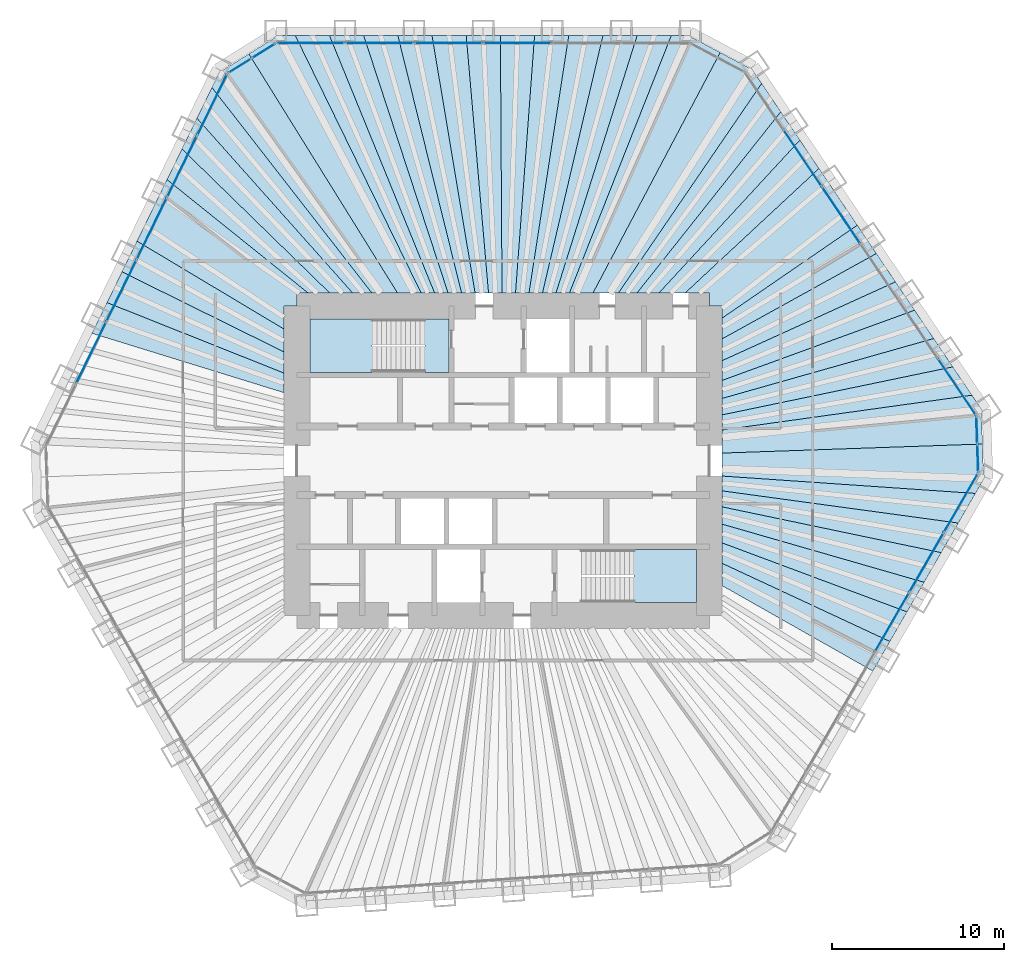
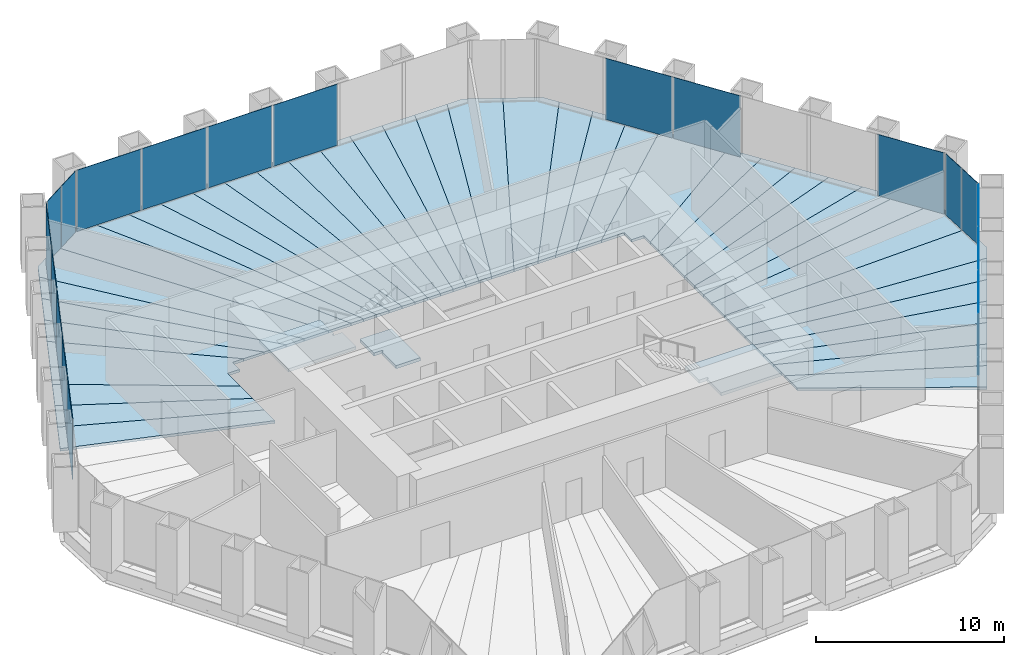
# One storey, part 9 of 13: 43 slabs, 19 plates, 8 elements without a shape of their own.
"""IFC4 building model written with IfcOpenShell, lengths in metres."""

from ifc_helpers import new_model, si_unit, direction, frame, origin, origin_2d, place, context, subcontext, project, spatial, polyline, rectangle, outline, extrude, material, layer, layer_set, type_object, element, aggregate, save


model = new_model("IFC4")

# Units and contexts
model_context = context("Model", 3, precision=1e-05, world=origin(), true_north=direction((0.0, 1.0)))
body_context = subcontext(model_context, "Body", "Model", "MODEL_VIEW")
ifc_project = project(units=[si_unit("LENGTHUNIT", "METRE"), si_unit("AREAUNIT", "SQUARE_METRE"), si_unit("VOLUMEUNIT", "CUBIC_METRE"), si_unit("PLANEANGLEUNIT", "RADIAN"), si_unit("MASSUNIT", "GRAM", prefix="KILO")], contexts=[model_context])

# Site, building, storey
site_placement = place(None, origin())
site = spatial("IfcSite", under=ifc_project, at=site_placement, CompositionType="ELEMENT")
building_placement = place(site_placement, origin())
building = spatial("IfcBuilding", under=site, at=building_placement, Name="Qingtian Harvest Tower", CompositionType="ELEMENT")
storey_placement = place(building_placement, frame((0.0, 0.0, 115.60009765625)))
storey = spatial("IfcBuildingStorey", under=building, at=storey_placement, Name="L23", CompositionType="ELEMENT", Elevation=115.60009765625)

# Slabs
ifc_material_1 = material(Name="Concrete fc' 35 MPa", Category="concrete")
ifc_layer_1 = layer(ifc_material_1, 0.169921875)
ifc_layer_set_1 = layer_set([ifc_layer_1], Name="Composite floor slab FS17 170")
slab_type_1 = type_object("IfcSlabType", Name="Composite floor slab FS17 170", PredefinedType="FLOOR", material=ifc_layer_set_1)
slab_1_placement = place(storey_placement, frame((0.0, 0.0, -0.170166015625)))
element("IfcSlab", 1, at=slab_1_placement, inside=storey, type_object=slab_type_1, Name="Floor slab L23 panel D33", PredefinedType="FLOOR", context=body_context, shape_type="SweptSolid", body=[
    extrude(outline(polyline([(12.75, -5.97021484375), (22.51220703125, -10.517578125), (21.517333984375, -12.24072265625), (12.75, -7.268798828125), (12.75, -5.97021484375)])), origin(), (0.0, 0.0, 1.0), 0.170166015625),
])
slab_2_placement = place(storey_placement, frame((0.0, 0.0, -0.170166015625)))
element("IfcSlab", 2, at=slab_2_placement, inside=storey, type_object=slab_type_1, Name="Floor slab L23 panel D34", PredefinedType="FLOOR", context=body_context, shape_type="SweptSolid", body=[
    extrude(outline(polyline([(12.75, -4.78173828125), (23.50732421875, -8.794189453125), (22.51220703125, -10.517578125), (12.75, -5.97021484375), (12.75, -4.78173828125)])), origin(), (0.0, 0.0, 1.0), 0.170166015625),
])
slab_3_placement = place(storey_placement, frame((0.0, 0.0, -0.170166015625)))
element("IfcSlab", 3, at=slab_3_placement, inside=storey, type_object=slab_type_1, Name="Floor slab L23 panel D35", PredefinedType="FLOOR", context=body_context, shape_type="SweptSolid", body=[
    extrude(outline(polyline([(12.75, -3.68994140625), (24.502197265625, -7.071044921875), (23.50732421875, -8.794189453125), (12.75, -4.78173828125), (12.75, -3.68994140625)])), origin(), (0.0, 0.0, 1.0), 0.170166015625),
])
slab_4_placement = place(storey_placement, frame((0.0, 0.0, -0.170166015625)))
element("IfcSlab", 4, at=slab_4_placement, inside=storey, type_object=slab_type_1, Name="Floor slab L23 panel D36", PredefinedType="FLOOR", context=body_context, shape_type="SweptSolid", body=[
    extrude(outline(polyline([(12.75, -2.683349609375), (25.4970703125, -5.34765625), (24.502197265625, -7.071044921875), (12.75, -3.68994140625), (12.75, -2.683349609375)])), origin(), (0.0, 0.0, 1.0), 0.170166015625),
])
slab_5_placement = place(storey_placement, frame((0.0, 0.0, -0.170166015625)))
element("IfcSlab", 5, at=slab_5_placement, inside=storey, type_object=slab_type_1, Name="Floor slab L23 panel D37", PredefinedType="FLOOR", context=body_context, shape_type="SweptSolid", body=[
    extrude(outline(polyline([(12.75, -1.752685546875), (26.4921875, -3.624267578125), (25.4970703125, -5.34765625), (12.75, -2.683349609375), (12.75, -1.752685546875)])), origin(), (0.0, 0.0, 1.0), 0.170166015625),
])
slab_6_placement = place(storey_placement, frame((0.0, 0.0, -0.170166015625)))
element("IfcSlab", 6, at=slab_6_placement, inside=storey, type_object=slab_type_1, Name="Floor slab L23 panel D38", PredefinedType="FLOOR", context=body_context, shape_type="SweptSolid", body=[
    extrude(outline(polyline([(12.75, -0.889404296875), (27.487060546875, -1.901123046875), (26.4921875, -3.624267578125), (12.75, -1.752685546875), (12.75, -0.889404296875)])), origin(), (0.0, 0.0, 1.0), 0.170166015625),
])
slab_7_placement = place(storey_placement, frame((0.0, 0.0, -0.170166015625)))
element("IfcSlab", 7, at=slab_7_placement, inside=storey, type_object=slab_type_1, Name="Floor slab L23 panel D39", PredefinedType="FLOOR", context=body_context, shape_type="SweptSolid", body=[
    extrude(outline(polyline([(12.75, -0.889404296875), (12.75, 0.447509765625), (27.90185546875, 0.974365234375), (27.972900390625, -1.059814453125), (27.487060546875, -1.901123046875), (12.75, -0.889404296875)])), origin(), (0.0, 0.0, 1.0), 0.170166015625),
])
slab_8_placement = place(storey_placement, frame((0.0, 0.0, -0.170166015625)))
element("IfcSlab", 8, at=slab_8_placement, inside=storey, type_object=slab_type_1, Name="Floor slab L23 panel D40", PredefinedType="FLOOR", context=body_context, shape_type="SweptSolid", body=[
    extrude(outline(polyline([(12.75, 0.447509765625), (12.75, 1.79052734375), (27.287353515625, 3.81396484375), (27.830810546875, 3.008544921875), (27.90185546875, 0.974365234375), (12.75, 0.447509765625)])), origin(), (0.0, 0.0, 1.0), 0.170166015625),
])
slab_9_placement = place(storey_placement, frame((0.0, 0.0, -0.170166015625)))
element("IfcSlab", 9, at=slab_9_placement, inside=storey, type_object=slab_type_1, Name="Floor slab L23 panel D41", PredefinedType="FLOOR", context=body_context, shape_type="SweptSolid", body=[
    extrude(outline(polyline([(12.75, 2.671142578125), (26.1748046875, 5.463623046875), (27.287353515625, 3.81396484375), (12.75, 1.79052734375), (12.75, 2.671142578125)])), origin(), (0.0, 0.0, 1.0), 0.170166015625),
])
slab_10_placement = place(storey_placement, frame((0.0, 0.0, -0.170166015625)))
element("IfcSlab", 10, at=slab_10_placement, inside=storey, type_object=slab_type_1, Name="Floor slab L23 panel D42", PredefinedType="FLOOR", context=body_context, shape_type="SweptSolid", body=[
    extrude(outline(polyline([(12.75, 3.6298828125), (25.06201171875, 7.11328125), (26.1748046875, 5.463623046875), (12.75, 2.671142578125), (12.75, 3.6298828125)])), origin(), (0.0, 0.0, 1.0), 0.170166015625),
])
slab_11_placement = place(storey_placement, frame((0.0, 0.0, -0.170166015625)))
element("IfcSlab", 11, at=slab_11_placement, inside=storey, type_object=slab_type_1, Name="Floor slab L23 panel D43", PredefinedType="FLOOR", context=body_context, shape_type="SweptSolid", body=[
    extrude(outline(polyline([(12.75, 4.677734375), (23.94921875, 8.762939453125), (25.06201171875, 7.11328125), (12.75, 3.6298828125), (12.75, 4.677734375)])), origin(), (0.0, 0.0, 1.0), 0.170166015625),
])
slab_12_placement = place(storey_placement, frame((0.0, 0.0, -0.170166015625)))
element("IfcSlab", 12, at=slab_12_placement, inside=storey, type_object=slab_type_1, Name="Floor slab L23 panel D44", PredefinedType="FLOOR", context=body_context, shape_type="SweptSolid", body=[
    extrude(outline(polyline([(12.75, 5.828125), (22.83642578125, 10.41259765625), (23.94921875, 8.762939453125), (12.75, 4.677734375), (12.75, 5.828125)])), origin(), (0.0, 0.0, 1.0), 0.170166015625),
])
slab_13_placement = place(storey_placement, frame((0.0, 0.0, -0.170166015625)))
element("IfcSlab", 13, at=slab_13_placement, inside=storey, type_object=slab_type_1, Name="Floor slab L23 panel D45", PredefinedType="FLOOR", context=body_context, shape_type="SweptSolid", body=[
    extrude(outline(polyline([(12.75, 7.096435546875), (21.723876953125, 12.062255859375), (22.83642578125, 10.41259765625), (12.75, 5.828125), (12.75, 7.096435546875)])), origin(), (0.0, 0.0, 1.0), 0.170166015625),
])
slab_14_placement = place(storey_placement, frame((0.0, 0.0, -0.170166015625)))
element("IfcSlab", 14, at=slab_14_placement, inside=storey, type_object=slab_type_1, Name="Floor slab L23 panel D46", PredefinedType="FLOOR", context=body_context, shape_type="SweptSolid", body=[
    extrude(outline(polyline([(12.75, 8.30615234375), (20.61328125, 13.708740234375), (21.723876953125, 12.062255859375), (12.75, 7.096435546875), (12.75, 8.30615234375)])), origin(), (0.0, 0.0, 1.0), 0.170166015625),
])
slab_15_placement = place(storey_placement, frame((0.0, 0.0, -0.170166015625)))
element("IfcSlab", 15, at=slab_15_placement, inside=storey, type_object=slab_type_1, Name="Floor slab L23 panel D48", PredefinedType="FLOOR", context=body_context, shape_type="SweptSolid", body=[
    extrude(outline(polyline([(18.38623046875, 17.010498046875), (20.61328125, 13.708740234375), (12.75, 8.30615234375), (12.75, 9.0), (12.0, 9.0), (12.0, 9.75), (10.578369140625, 9.75), (18.38623046875, 17.010498046875)])), origin(), (0.0, 0.0, 1.0), 0.170166015625),
])
slab_16_placement = place(storey_placement, frame((0.0, 0.0, -0.170166015625)))
element("IfcSlab", 16, at=slab_16_placement, inside=storey, type_object=slab_type_1, Name="Floor slab L23 panel D49", PredefinedType="FLOOR", context=body_context, shape_type="SweptSolid", body=[
    extrude(outline(polyline([(9.0556640625, 9.75), (17.2734375, 18.66015625), (18.38623046875, 17.010498046875), (10.578369140625, 9.75), (9.0556640625, 9.75)])), origin(), (0.0, 0.0, 1.0), 0.170166015625),
])
slab_17_placement = place(storey_placement, frame((0.0, 0.0, -0.170166015625)))
element("IfcSlab", 17, at=slab_17_placement, inside=storey, type_object=slab_type_1, Name="Floor slab L23 panel D50", PredefinedType="FLOOR", context=body_context, shape_type="SweptSolid", body=[
    extrude(outline(polyline([(7.781494140625, 9.75), (16.16064453125, 20.31005859375), (17.2734375, 18.66015625), (9.0556640625, 9.75), (7.781494140625, 9.75)])), origin(), (0.0, 0.0, 1.0), 0.170166015625),
])
slab_18_placement = place(storey_placement, frame((0.0, 0.0, -0.170166015625)))
element("IfcSlab", 18, at=slab_18_placement, inside=storey, type_object=slab_type_1, Name="Floor slab L23 panel D51", PredefinedType="FLOOR", context=body_context, shape_type="SweptSolid", body=[
    extrude(outline(polyline([(6.69970703125, 9.75), (15.0478515625, 21.959716796875), (16.16064453125, 20.31005859375), (7.781494140625, 9.75), (6.69970703125, 9.75)])), origin(), (0.0, 0.0, 1.0), 0.170166015625),
])
slab_19_placement = place(storey_placement, frame((0.0, 0.0, -0.170166015625)))
element("IfcSlab", 19, at=slab_19_placement, inside=storey, type_object=slab_type_1, Name="Floor slab L23 panel D52", PredefinedType="FLOOR", context=body_context, shape_type="SweptSolid", body=[
    extrude(outline(polyline([(6.69970703125, 9.75), (5.224609375, 9.75), (12.634033203125, 23.759765625), (14.504638671875, 22.765380859375), (15.0478515625, 21.959716796875), (6.69970703125, 9.75)])), origin(), (0.0, 0.0, 1.0), 0.170166015625),
])
slab_20_placement = place(storey_placement, frame((0.0, 0.0, -0.170166015625)))
element("IfcSlab", 20, at=slab_20_placement, inside=storey, type_object=slab_type_1, Name="Floor slab L23 panel D53", PredefinedType="FLOOR", context=body_context, shape_type="SweptSolid", body=[
    extrude(outline(polyline([(3.856201171875, 9.75), (9.791015625, 24.7548828125), (10.762451171875, 24.7548828125), (12.634033203125, 23.759765625), (5.224609375, 9.75), (3.856201171875, 9.75)])), origin(), (0.0, 0.0, 1.0), 0.170166015625),
])
slab_21_placement = place(storey_placement, frame((0.0, 0.0, -0.170166015625)))
element("IfcSlab", 21, at=slab_21_placement, inside=storey, type_object=slab_type_1, Name="Floor slab L23 panel D54", PredefinedType="FLOOR", context=body_context, shape_type="SweptSolid", body=[
    extrude(outline(polyline([(3.072509765625, 9.75), (7.80126953125, 24.7548828125), (9.791015625, 24.7548828125), (3.856201171875, 9.75), (3.072509765625, 9.75)])), origin(), (0.0, 0.0, 1.0), 0.170166015625),
])
slab_22_placement = place(storey_placement, frame((0.0, 0.0, -0.170166015625)))
element("IfcSlab", 22, at=slab_22_placement, inside=storey, type_object=slab_type_1, Name="Floor slab L23 panel D55", PredefinedType="FLOOR", context=body_context, shape_type="SweptSolid", body=[
    extrude(outline(polyline([(2.288818359375, 9.75), (5.811279296875, 24.7548828125), (7.80126953125, 24.7548828125), (3.072509765625, 9.75), (2.288818359375, 9.75)])), origin(), (0.0, 0.0, 1.0), 0.170166015625),
])
slab_23_placement = place(storey_placement, frame((0.0, 0.0, -0.170166015625)))
element("IfcSlab", 23, at=slab_23_placement, inside=storey, type_object=slab_type_1, Name="Floor slab L23 panel D56", PredefinedType="FLOOR", context=body_context, shape_type="SweptSolid", body=[
    extrude(outline(polyline([(1.505126953125, 9.75), (3.821533203125, 24.7548828125), (5.811279296875, 24.7548828125), (2.288818359375, 9.75), (1.505126953125, 9.75)])), origin(), (0.0, 0.0, 1.0), 0.170166015625),
])
slab_24_placement = place(storey_placement, frame((0.0, 0.0, -0.170166015625)))
element("IfcSlab", 24, at=slab_24_placement, inside=storey, type_object=slab_type_1, Name="Floor slab L23 panel D57", PredefinedType="FLOOR", context=body_context, shape_type="SweptSolid", body=[
    extrude(outline(polyline([(0.721435546875, 9.75), (1.831787109375, 24.7548828125), (3.821533203125, 24.7548828125), (1.505126953125, 9.75), (0.721435546875, 9.75)])), origin(), (0.0, 0.0, 1.0), 0.170166015625),
])
slab_25_placement = place(storey_placement, frame((0.0, 0.0, -0.170166015625)))
element("IfcSlab", 25, at=slab_25_placement, inside=storey, type_object=slab_type_1, Name="Floor slab L23 panel D58", PredefinedType="FLOOR", context=body_context, shape_type="SweptSolid", body=[
    extrude(outline(polyline([(-0.062255859375, 9.75), (-0.158203125, 24.7548828125), (1.831787109375, 24.7548828125), (0.721435546875, 9.75), (-0.062255859375, 9.75)])), origin(), (0.0, 0.0, 1.0), 0.170166015625),
])
slab_26_placement = place(storey_placement, frame((0.0, 0.0, -0.170166015625)))
element("IfcSlab", 26, at=slab_26_placement, inside=storey, type_object=slab_type_1, Name="Floor slab L23 panel D59", PredefinedType="FLOOR", context=body_context, shape_type="SweptSolid", body=[
    extrude(outline(polyline([(-0.845947265625, 9.75), (-2.14794921875, 24.7548828125), (-0.158203125, 24.7548828125), (-0.062255859375, 9.75), (-0.845947265625, 9.75)])), origin(), (0.0, 0.0, 1.0), 0.170166015625),
])
slab_27_placement = place(storey_placement, frame((0.0, 0.0, -0.170166015625)))
element("IfcSlab", 27, at=slab_27_placement, inside=storey, type_object=slab_type_1, Name="Floor slab L23 panel D60", PredefinedType="FLOOR", context=body_context, shape_type="SweptSolid", body=[
    extrude(outline(polyline([(-1.629638671875, 9.75), (-4.137939453125, 24.7548828125), (-2.14794921875, 24.7548828125), (-0.845947265625, 9.75), (-1.629638671875, 9.75)])), origin(), (0.0, 0.0, 1.0), 0.170166015625),
])
slab_28_placement = place(storey_placement, frame((0.0, 0.0, -0.170166015625)))
element("IfcSlab", 28, at=slab_28_placement, inside=storey, type_object=slab_type_1, Name="Floor slab L23 panel D61", PredefinedType="FLOOR", context=body_context, shape_type="SweptSolid", body=[
    extrude(outline(polyline([(-2.41357421875, 9.75), (-6.127685546875, 24.7548828125), (-4.137939453125, 24.7548828125), (-1.629638671875, 9.75), (-2.41357421875, 9.75)])), origin(), (0.0, 0.0, 1.0), 0.170166015625),
])
slab_29_placement = place(storey_placement, frame((0.0, 0.0, -0.170166015625)))
element("IfcSlab", 29, at=slab_29_placement, inside=storey, type_object=slab_type_1, Name="Floor slab L23 panel D62", PredefinedType="FLOOR", context=body_context, shape_type="SweptSolid", body=[
    extrude(outline(polyline([(-3.197265625, 9.75), (-8.117431640625, 24.7548828125), (-6.127685546875, 24.7548828125), (-2.41357421875, 9.75), (-3.197265625, 9.75)])), origin(), (0.0, 0.0, 1.0), 0.170166015625),
])
slab_30_placement = place(storey_placement, frame((0.0, 0.0, -0.170166015625)))
element("IfcSlab", 30, at=slab_30_placement, inside=storey, type_object=slab_type_1, Name="Floor slab L23 panel D63", PredefinedType="FLOOR", context=body_context, shape_type="SweptSolid", body=[
    extrude(outline(polyline([(-3.98095703125, 9.75), (-10.107421875, 24.7548828125), (-8.117431640625, 24.7548828125), (-3.197265625, 9.75), (-3.98095703125, 9.75)])), origin(), (0.0, 0.0, 1.0), 0.170166015625),
])
slab_31_placement = place(storey_placement, frame((0.0, 0.0, -0.170166015625)))
element("IfcSlab", 31, at=slab_31_placement, inside=storey, type_object=slab_type_1, Name="Floor slab L23 panel D64", PredefinedType="FLOOR", context=body_context, shape_type="SweptSolid", body=[
    extrude(outline(polyline([(-4.7646484375, 9.75), (-12.09716796875, 24.7548828125), (-10.107421875, 24.7548828125), (-3.98095703125, 9.75), (-4.7646484375, 9.75)])), origin(), (0.0, 0.0, 1.0), 0.170166015625),
])
slab_32_placement = place(storey_placement, frame((0.0, 0.0, -0.170166015625)))
element("IfcSlab", 32, at=slab_32_placement, inside=storey, type_object=slab_type_1, Name="Floor slab L23 panel D65", PredefinedType="FLOOR", context=body_context, shape_type="SweptSolid", body=[
    extrude(outline(polyline([(-4.7646484375, 9.75), (-6.13671875, 9.75), (-14.795166015625, 23.676025390625), (-13.068603515625, 24.7548828125), (-12.09716796875, 24.7548828125), (-4.7646484375, 9.75)])), origin(), (0.0, 0.0, 1.0), 0.170166015625),
])
slab_33_placement = place(storey_placement, frame((0.0, 0.0, -0.170166015625)))
element("IfcSlab", 33, at=slab_33_placement, inside=storey, type_object=slab_type_1, Name="Floor slab L23 panel D66", PredefinedType="FLOOR", context=body_context, shape_type="SweptSolid", body=[
    extrude(outline(polyline([(-6.13671875, 9.75), (-7.62646484375, 9.75), (-16.94677734375, 21.724609375), (-16.520751953125, 22.597900390625), (-14.795166015625, 23.676025390625), (-6.13671875, 9.75)])), origin(), (0.0, 0.0, 1.0), 0.170166015625),
])
slab_34_placement = place(storey_placement, frame((0.0, 0.0, -0.170166015625)))
element("IfcSlab", 34, at=slab_34_placement, inside=storey, type_object=slab_type_1, Name="Floor slab L23 panel D67", PredefinedType="FLOOR", context=body_context, shape_type="SweptSolid", body=[
    extrude(outline(polyline([(-8.74169921875, 9.75), (-17.819091796875, 19.93603515625), (-16.94677734375, 21.724609375), (-7.62646484375, 9.75), (-8.74169921875, 9.75)])), origin(), (0.0, 0.0, 1.0), 0.170166015625),
])
slab_35_placement = place(storey_placement, frame((0.0, 0.0, -0.170166015625)))
element("IfcSlab", 35, at=slab_35_placement, inside=storey, type_object=slab_type_1, Name="Floor slab L23 panel D68", PredefinedType="FLOOR", context=body_context, shape_type="SweptSolid", body=[
    extrude(outline(polyline([(-10.077880859375, 9.75), (-18.69140625, 18.1474609375), (-17.819091796875, 19.93603515625), (-8.74169921875, 9.75), (-10.077880859375, 9.75)])), origin(), (0.0, 0.0, 1.0), 0.170166015625),
])
slab_36_placement = place(storey_placement, frame((0.0, 0.0, -0.170166015625)))
element("IfcSlab", 36, at=slab_36_placement, inside=storey, type_object=slab_type_1, Name="Floor slab L23 panel D69", PredefinedType="FLOOR", context=body_context, shape_type="SweptSolid", body=[
    extrude(outline(polyline([(-11.329345703125, 9.75), (-19.561279296875, 16.364013671875), (-18.69140625, 18.1474609375), (-10.077880859375, 9.75), (-11.329345703125, 9.75)])), origin(), (0.0, 0.0, 1.0), 0.170166015625),
])
slab_37_placement = place(storey_placement, frame((0.0, 0.0, -0.170166015625)))
element("IfcSlab", 37, at=slab_37_placement, inside=storey, type_object=slab_type_1, Name="Floor slab L23 panel D70", PredefinedType="FLOOR", context=body_context, shape_type="SweptSolid", body=[
    extrude(outline(polyline([(-12.0, 9.0), (-12.75, 9.0), (-12.75, 7.662841796875), (-21.307861328125, 12.78271484375), (-19.561279296875, 16.364013671875), (-11.329345703125, 9.75), (-12.0, 9.75), (-12.0, 9.0)])), origin(), (0.0, 0.0, 1.0), 0.170166015625),
])
slab_38_placement = place(storey_placement, frame((0.0, 0.0, -0.170166015625)))
element("IfcSlab", 38, at=slab_38_placement, inside=storey, type_object=slab_type_1, Name="Floor slab L23 panel D72", PredefinedType="FLOOR", context=body_context, shape_type="SweptSolid", body=[
    extrude(outline(polyline([(-12.75, 6.332275390625), (-22.18017578125, 10.994384765625), (-21.307861328125, 12.78271484375), (-12.75, 7.662841796875), (-12.75, 6.332275390625)])), origin(), (0.0, 0.0, 1.0), 0.170166015625),
])
slab_39_placement = place(storey_placement, frame((0.0, 0.0, -0.170166015625)))
element("IfcSlab", 39, at=slab_39_placement, inside=storey, type_object=slab_type_1, Name="Floor slab L23 panel D73", PredefinedType="FLOOR", context=body_context, shape_type="SweptSolid", body=[
    extrude(outline(polyline([(-12.75, 5.1025390625), (-23.052490234375, 9.205810546875), (-22.18017578125, 10.994384765625), (-12.75, 6.332275390625), (-12.75, 5.1025390625)])), origin(), (0.0, 0.0, 1.0), 0.170166015625),
])
slab_40_placement = place(storey_placement, frame((0.0, 0.0, -0.170166015625)))
element("IfcSlab", 40, at=slab_40_placement, inside=storey, type_object=slab_type_1, Name="Floor slab L23 panel D74", PredefinedType="FLOOR", context=body_context, shape_type="SweptSolid", body=[
    extrude(outline(polyline([(-12.75, 3.962646484375), (-23.9248046875, 7.417236328125), (-23.052490234375, 9.205810546875), (-12.75, 5.1025390625), (-12.75, 3.962646484375)])), origin(), (0.0, 0.0, 1.0), 0.170166015625),
])

# Curtain wall, plates
ifc_material_2 = material(Name="Bronze-anodised aluminium curtain wall", Category="aluminium")
curtain_wall_type = type_object("IfcCurtainWallType", Name="Curtain wall CW4 office", PredefinedType="USERDEFINED", material=ifc_material_2)
curtain_wall_1_placement = place(storey_placement, origin())
curtain_wall_1 = element("IfcCurtainWall", 41, at=curtain_wall_1_placement, inside=storey, type_object=curtain_wall_type, Name="Curtain wall CW4 L23 N0-5", ObjectType="RECESSED CURTAIN WALL", PredefinedType="USERDEFINED")
ifc_material_3 = material(Name="Bronze-tinted laminated insulating glass", Category="glass")
ifc_layer_2 = layer(ifc_material_3, 0.030029296875)
ifc_layer_set_2 = layer_set([ifc_layer_2], Name="Glazed panel CWP tinted IGU")
plate_type = type_object("IfcPlateType", Name="Glazed panel CWP tinted IGU", PredefinedType="CURTAIN_PANEL", material=ifc_layer_set_2)
plate_1_placement = place(storey_placement, frame((-11.196044921875, 24.300048828125, 0.06494140625), z_axis=(0.0, 0.0, 1.0), x_axis=(1.0, 0.0, 0.0)))
plate_1 = element("IfcPlate", 42, at=plate_1_placement, type_object=plate_type, Name="CW4 panel 1.1", PredefinedType="CURTAIN_PANEL", context=body_context, shape_type="SweptSolid", body=[
    extrude(rectangle(XDim=3.921630859375, YDim=0.030029296875, at=origin_2d()), origin(), (0.0, 0.0, 1.0), 3.965087890625),
])
plate_2_placement = place(storey_placement, frame((-7.193115234375, 24.300048828125, 0.06494140625), z_axis=(0.0, 0.0, 1.0), x_axis=(1.0, 0.0, 0.0)))
plate_2 = element("IfcPlate", 43, at=plate_2_placement, type_object=plate_type, Name="CW4 panel 2.1", PredefinedType="CURTAIN_PANEL", context=body_context, shape_type="SweptSolid", body=[
    extrude(rectangle(XDim=3.9541015625, YDim=0.030029296875, at=origin_2d()), origin(), (0.0, 0.0, 1.0), 3.965087890625),
])
plate_3_placement = place(storey_placement, frame((-3.174072265625, 24.300048828125, 0.06494140625), z_axis=(0.0, 0.0, 1.0), x_axis=(1.0, 0.0, 0.0)))
plate_3 = element("IfcPlate", 44, at=plate_3_placement, type_object=plate_type, Name="CW4 panel 3.1", PredefinedType="CURTAIN_PANEL", context=body_context, shape_type="SweptSolid", body=[
    extrude(rectangle(XDim=3.9541015625, YDim=0.030029296875, at=origin_2d()), origin(), (0.0, 0.0, 1.0), 3.965087890625),
])
plate_4_placement = place(storey_placement, frame((0.844970703125, 24.300048828125, 0.06494140625), z_axis=(0.0, 0.0, 1.0), x_axis=(1.0, 0.0, 0.0)))
plate_4 = element("IfcPlate", 45, at=plate_4_placement, type_object=plate_type, Name="CW4 panel 4.1", PredefinedType="CURTAIN_PANEL", context=body_context, shape_type="SweptSolid", body=[
    extrude(rectangle(XDim=3.9541015625, YDim=0.030029296875, at=origin_2d()), origin(), (0.0, 0.0, 1.0), 3.965087890625),
])
aggregate(curtain_wall_1, [plate_1, plate_2, plate_3, plate_4])

curtain_wall_2_placement = place(storey_placement, origin())
curtain_wall_2 = element("IfcCurtainWall", 46, at=curtain_wall_2_placement, inside=storey, type_object=curtain_wall_type, Name="Curtain wall CW4 L23 NE0-5", ObjectType="RECESSED CURTAIN WALL", PredefinedType="USERDEFINED")
plate_5_placement = place(storey_placement, frame((17.425537109375, 17.620849609375, 0.06494140625), z_axis=(0.0, 0.0, 1.0), x_axis=(0.559192903471, -0.829037572555, 0.0)))
plate_5 = element("IfcPlate", 47, at=plate_5_placement, type_object=plate_type, Name="CW4 panel 2.1", PredefinedType="CURTAIN_PANEL", context=body_context, shape_type="SweptSolid", body=[
    extrude(rectangle(XDim=3.9541015625, YDim=0.030029296875, at=origin_2d()), origin(), (0.0, 0.0, 1.0), 3.965087890625),
])
plate_6_placement = place(storey_placement, frame((19.673095703125, 14.2890625, 0.06494140625), z_axis=(0.0, 0.0, 1.0), x_axis=(0.559192903471, -0.829037572555, 0.0)))
plate_6 = element("IfcPlate", 48, at=plate_6_placement, type_object=plate_type, Name="CW4 panel 3.1", PredefinedType="CURTAIN_PANEL", context=body_context, shape_type="SweptSolid", body=[
    extrude(rectangle(XDim=3.9541015625, YDim=0.030029296875, at=origin_2d()), origin(), (0.0, 0.0, 1.0), 3.965087890625),
])
plate_7_placement = place(storey_placement, frame((26.40625, 4.306640625, 0.06494140625), z_axis=(0.0, 0.0, 1.0), x_axis=(0.559192903471, -0.829037572555, 0.0)))
plate_7 = element("IfcPlate", 49, at=plate_7_placement, type_object=plate_type, Name="CW4 panel 6.1", PredefinedType="CURTAIN_PANEL", context=body_context, shape_type="SweptSolid", body=[
    extrude(rectangle(XDim=3.921630859375, YDim=0.030029296875, at=origin_2d()), origin(), (0.0, 0.0, 1.0), 3.965087890625),
])
aggregate(curtain_wall_2, [plate_5, plate_6, plate_7])

curtain_wall_3_placement = place(storey_placement, origin())
curtain_wall_3 = element("IfcCurtainWall", 50, at=curtain_wall_3_placement, inside=storey, type_object=curtain_wall_type, Name="Curtain wall CW4 L23 NEC", ObjectType="RECESSED CURTAIN WALL", PredefinedType="USERDEFINED")
plate_8_placement = place(storey_placement, frame((27.568603515625, 1.779052734375, 0.06494140625), z_axis=(0.0, 0.0, 1.0), x_axis=(0.034899496703, -0.999390827019, 0.0)))
plate_8 = element("IfcPlate", 51, at=plate_8_placement, type_object=plate_type, Name="CW4 panel 1.1", PredefinedType="CURTAIN_PANEL", context=body_context, shape_type="SweptSolid", body=[
    extrude(rectangle(XDim=1.56689453125, YDim=0.030029296875, at=origin_2d()), origin(), (0.0, 0.0, 1.0), 3.965087890625),
])
plate_9_placement = place(storey_placement, frame((27.625732421875, 0.148193359375, 0.06494140625), z_axis=(0.0, 0.0, 1.0), x_axis=(0.034899496703, -0.999390827019, 0.0)))
plate_9 = element("IfcPlate", 52, at=plate_9_placement, type_object=plate_type, Name="CW4 panel 2.1", PredefinedType="CURTAIN_PANEL", context=body_context, shape_type="SweptSolid", body=[
    extrude(rectangle(XDim=1.56689453125, YDim=0.030029296875, at=origin_2d()), origin(), (0.0, 0.0, 1.0), 3.965087890625),
])
aggregate(curtain_wall_3, [plate_8, plate_9])

curtain_wall_4_placement = place(storey_placement, origin())
curtain_wall_4 = element("IfcCurtainWall", 53, at=curtain_wall_4_placement, inside=storey, type_object=curtain_wall_type, Name="Curtain wall CW4 L23 SE0-5", ObjectType="RECESSED CURTAIN WALL", PredefinedType="USERDEFINED")
plate_10_placement = place(storey_placement, frame((26.642333984375, -2.4541015625, 0.06494140625), z_axis=(0.0, 0.0, 1.0), x_axis=(-0.5, -0.866025403784, 0.0)))
plate_10 = element("IfcPlate", 54, at=plate_10_placement, type_object=plate_type, Name="CW4 panel 1.1", PredefinedType="CURTAIN_PANEL", context=body_context, shape_type="SweptSolid", body=[
    extrude(rectangle(XDim=3.921630859375, YDim=0.030029296875, at=origin_2d()), origin(), (0.0, 0.0, 1.0), 3.965087890625),
])
plate_11_placement = place(storey_placement, frame((24.640869140625, -5.920654296875, 0.06494140625), z_axis=(0.0, 0.0, 1.0), x_axis=(-0.5, -0.866025403784, 0.0)))
plate_11 = element("IfcPlate", 55, at=plate_11_placement, type_object=plate_type, Name="CW4 panel 2.1", PredefinedType="CURTAIN_PANEL", context=body_context, shape_type="SweptSolid", body=[
    extrude(rectangle(XDim=3.9541015625, YDim=0.030029296875, at=origin_2d()), origin(), (0.0, 0.0, 1.0), 3.965087890625),
])
plate_12_placement = place(storey_placement, frame((22.63134765625, -9.401123046875, 0.06494140625), z_axis=(0.0, 0.0, 1.0), x_axis=(-0.5, -0.866025403784, 0.0)))
plate_12 = element("IfcPlate", 56, at=plate_12_placement, type_object=plate_type, Name="CW4 panel 3.1", PredefinedType="CURTAIN_PANEL", context=body_context, shape_type="SweptSolid", body=[
    extrude(rectangle(XDim=3.9541015625, YDim=0.030029296875, at=origin_2d()), origin(), (0.0, 0.0, 1.0), 3.965087890625),
])
aggregate(curtain_wall_4, [plate_10, plate_11, plate_12])

curtain_wall_5_placement = place(storey_placement, origin())
curtain_wall_5 = element("IfcCurtainWall", 57, at=curtain_wall_5_placement, inside=storey, type_object=curtain_wall_type, Name="Curtain wall CW4 L23 NW0-5", ObjectType="RECESSED CURTAIN WALL", PredefinedType="USERDEFINED")
plate_13_placement = place(storey_placement, frame((-23.972900390625, 6.280517578125, 0.06494140625), z_axis=(0.0, 0.0, 1.0), x_axis=(0.438371146789, 0.898794046299, 0.0)))
plate_13 = element("IfcPlate", 58, at=plate_13_placement, type_object=plate_type, Name="CW4 panel 2.1", PredefinedType="CURTAIN_PANEL", context=body_context, shape_type="SweptSolid", body=[
    extrude(rectangle(XDim=3.9541015625, YDim=0.030029296875, at=origin_2d()), origin(), (0.0, 0.0, 1.0), 3.965087890625),
])
plate_14_placement = place(storey_placement, frame((-22.211181640625, 9.892822265625, 0.06494140625), z_axis=(0.0, 0.0, 1.0), x_axis=(0.438371146789, 0.898794046299, 0.0)))
plate_14 = element("IfcPlate", 59, at=plate_14_placement, type_object=plate_type, Name="CW4 panel 3.1", PredefinedType="CURTAIN_PANEL", context=body_context, shape_type="SweptSolid", body=[
    extrude(rectangle(XDim=3.9541015625, YDim=0.030029296875, at=origin_2d()), origin(), (0.0, 0.0, 1.0), 3.965087890625),
])
plate_15_placement = place(storey_placement, frame((-20.44921875, 13.505126953125, 0.06494140625), z_axis=(0.0, 0.0, 1.0), x_axis=(0.438371146789, 0.898794046299, 0.0)))
plate_15 = element("IfcPlate", 60, at=plate_15_placement, type_object=plate_type, Name="CW4 panel 4.1", PredefinedType="CURTAIN_PANEL", context=body_context, shape_type="SweptSolid", body=[
    extrude(rectangle(XDim=3.9541015625, YDim=0.030029296875, at=origin_2d()), origin(), (0.0, 0.0, 1.0), 3.965087890625),
])
plate_16_placement = place(storey_placement, frame((-18.6875, 17.117431640625, 0.06494140625), z_axis=(0.0, 0.0, 1.0), x_axis=(0.438371146789, 0.898794046299, 0.0)))
plate_16 = element("IfcPlate", 61, at=plate_16_placement, type_object=plate_type, Name="CW4 panel 5.1", PredefinedType="CURTAIN_PANEL", context=body_context, shape_type="SweptSolid", body=[
    extrude(rectangle(XDim=3.9541015625, YDim=0.030029296875, at=origin_2d()), origin(), (0.0, 0.0, 1.0), 3.965087890625),
])
plate_17_placement = place(storey_placement, frame((-16.9326171875, 20.71533203125, 0.06494140625), z_axis=(0.0, 0.0, 1.0), x_axis=(0.438371146789, 0.898794046299, 0.0)))
plate_17 = element("IfcPlate", 62, at=plate_17_placement, type_object=plate_type, Name="CW4 panel 6.1", PredefinedType="CURTAIN_PANEL", context=body_context, shape_type="SweptSolid", body=[
    extrude(rectangle(XDim=3.921630859375, YDim=0.030029296875, at=origin_2d()), origin(), (0.0, 0.0, 1.0), 3.965087890625),
])
aggregate(curtain_wall_5, [plate_13, plate_14, plate_15, plate_16, plate_17])

curtain_wall_6_placement = place(storey_placement, origin())
curtain_wall_6 = element("IfcCurtainWall", 63, at=curtain_wall_6_placement, inside=storey, type_object=curtain_wall_type, Name="Curtain wall CW4 L23 NWC", ObjectType="RECESSED CURTAIN WALL", PredefinedType="USERDEFINED")
plate_18_placement = place(storey_placement, frame((-15.3251953125, 22.985595703125, 0.06494140625), z_axis=(0.0, 0.0, 1.0), x_axis=(0.848048096156, 0.529919264233, 0.0)))
plate_18 = element("IfcPlate", 64, at=plate_18_placement, type_object=plate_type, Name="CW4 panel 1.1", PredefinedType="CURTAIN_PANEL", context=body_context, shape_type="SweptSolid", body=[
    extrude(rectangle(XDim=1.56689453125, YDim=0.030029296875, at=origin_2d()), origin(), (0.0, 0.0, 1.0), 3.965087890625),
])
plate_19_placement = place(storey_placement, frame((-13.941162109375, 23.850341796875, 0.06494140625), z_axis=(0.0, 0.0, 1.0), x_axis=(0.848048096156, 0.529919264233, 0.0)))
plate_19 = element("IfcPlate", 65, at=plate_19_placement, type_object=plate_type, Name="CW4 panel 2.1", PredefinedType="CURTAIN_PANEL", context=body_context, shape_type="SweptSolid", body=[
    extrude(rectangle(XDim=1.56689453125, YDim=0.030029296875, at=origin_2d()), origin(), (0.0, 0.0, 1.0), 3.965087890625),
])
aggregate(curtain_wall_6, [plate_18, plate_19])

# Stair, slabs
ifc_material_4 = material(Name="Concrete fc' 35 MPa", Category="concrete")
stair_type = type_object("IfcStairType", Name="Special stair ST3 4200", PredefinedType="HALF_TURN_STAIR", material=ifc_material_4)
stair_1_placement = place(storey_placement, origin())
stair_1 = element("IfcStair", 66, at=stair_1_placement, inside=storey, type_object=stair_type, Name="Special stair S1 L23", PredefinedType="HALF_TURN_STAIR")
ifc_material_5 = material(Name="Concrete fc' 35 MPa", Category="concrete")
ifc_layer_3 = layer(ifc_material_5, 0.199951171875)
ifc_layer_set_3 = layer_set([ifc_layer_3], Name="Stair landing SL2 200")
slab_type_2 = type_object("IfcSlabType", Name="Stair landing SL2 200", PredefinedType="LANDING", material=ifc_layer_set_3)
slab_41_placement = place(storey_placement, frame((0.0, 0.0, -0.2001953125)))
slab_41 = element("IfcSlab", 67, at=slab_41_placement, type_object=slab_type_2, Name="S1 landing 1", PredefinedType="LANDING", context=body_context, shape_type="SweptSolid", body=[
    extrude(outline(polyline([(-4.64990234375, 5.14990234375), (-4.64990234375, 6.64990234375), (-4.550048828125, 6.64990234375), (-4.550048828125, 6.75), (-5.0849609375, 6.75), (-5.0849609375, 8.25), (-3.14990234375, 8.25), (-3.14990234375, 5.14990234375), (-4.64990234375, 5.14990234375)])), origin(), (0.0, 0.0, 1.0), 0.2001953125),
])
slab_42_placement = place(storey_placement, frame((0.0, 0.0, 1.89990234375)))
slab_42 = element("IfcSlab", 68, at=slab_42_placement, type_object=slab_type_2, Name="S1 landing 2", PredefinedType="LANDING", context=body_context, shape_type="SweptSolid", body=[
    extrude(outline(polyline([(-7.094970703125, 5.14990234375), (-11.25, 5.14990234375), (-11.25, 8.25), (-7.530029296875, 8.25), (-7.530029296875, 6.75), (-7.6298828125, 6.75), (-7.6298828125, 6.64990234375), (-7.094970703125, 6.64990234375), (-7.094970703125, 5.14990234375)])), origin(), (0.0, 0.0, 1.0), 0.199951171875),
])
aggregate(stair_1, [slab_41, slab_42])

# Stair, slab
stair_2_placement = place(storey_placement, origin())
stair_2 = element("IfcStair", 69, at=stair_2_placement, inside=storey, type_object=stair_type, Name="Special stair S2 L23", PredefinedType="HALF_TURN_STAIR")
slab_43_placement = place(storey_placement, frame((0.0, 0.0, 1.89990234375)))
slab_43 = element("IfcSlab", 70, at=slab_43_placement, type_object=slab_type_2, Name="S2 landing 2", PredefinedType="LANDING", context=body_context, shape_type="SweptSolid", body=[
    extrude(outline(polyline([(7.530029296875, -8.25), (7.530029296875, -6.75), (7.6298828125, -6.75), (7.6298828125, -6.64990234375), (7.094970703125, -6.64990234375), (7.094970703125, -5.14990234375), (11.25, -5.14990234375), (11.25, -8.25), (7.530029296875, -8.25)])), origin(), (0.0, 0.0, 1.0), 0.199951171875),
])
aggregate(stair_2, [slab_43])

save(model, "model.ifc")
